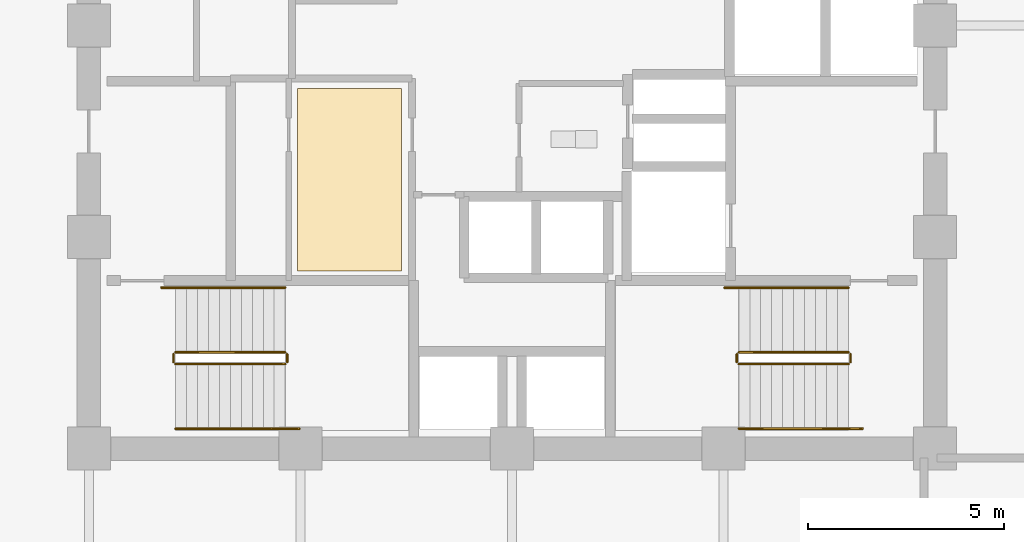
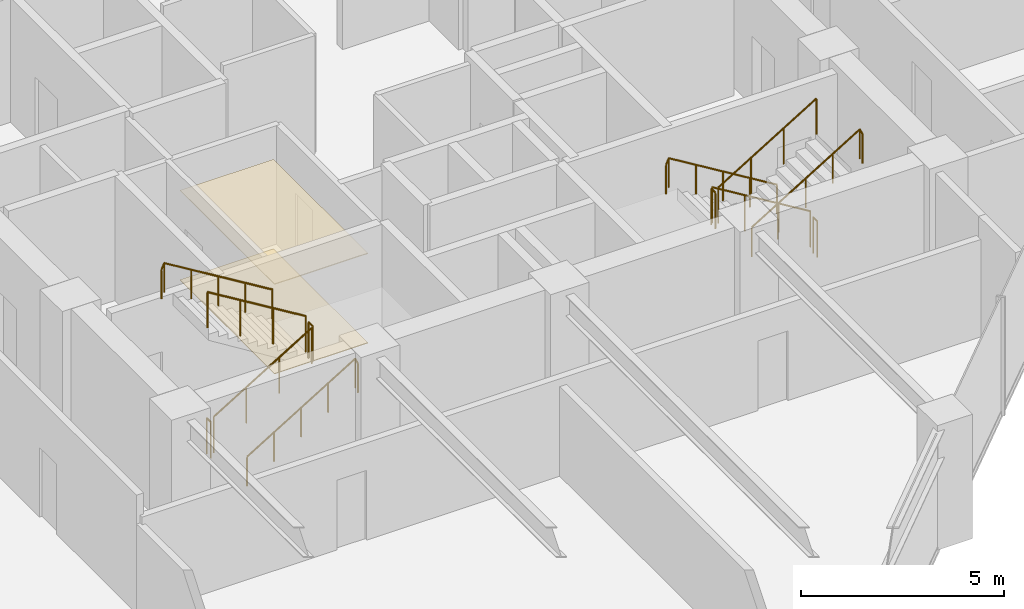
# One storey, part 26 of 29: 12 railings, 2 coverings.
"""IFC4 building model written with IfcOpenShell, lengths in metres."""

from ifc_helpers import new_model, si_unit, direction, frame, origin, origin_2d, place, context, subcontext, project, spatial, polyline, circle, outline, extrude, material, layer, layer_set, type_object, element, save


model = new_model("IFC4")

# Units and contexts
model_context = context("Model", 3, precision=1e-05, world=origin(), true_north=direction((0.0, 1.0)))
body_context = subcontext(model_context, "Body", "Model", "MODEL_VIEW")
ifc_project = project(units=[si_unit("LENGTHUNIT", "METRE"), si_unit("AREAUNIT", "SQUARE_METRE"), si_unit("VOLUMEUNIT", "CUBIC_METRE"), si_unit("PLANEANGLEUNIT", "RADIAN"), si_unit("MASSUNIT", "GRAM", prefix="KILO")], contexts=[model_context])

# Site, building, storey
site_placement = place(None, origin())
site = spatial("IfcSite", under=ifc_project, at=site_placement, CompositionType="ELEMENT")
building_placement = place(site_placement, origin())
building = spatial("IfcBuilding", under=site, at=building_placement, Name="Surkhivell Harbour Commons", CompositionType="ELEMENT")
storey_placement = place(building_placement, frame((0.0, 0.0, 150.75)))
storey = spatial("IfcBuildingStorey", under=building, at=storey_placement, Name="L39", CompositionType="ELEMENT", Elevation=150.75)

# Coverings
ifc_material_1 = material(Name="Perforated acoustic mineral-fibre ceiling tile", Category="other")
ifc_layer_1 = layer(ifc_material_1, 0.02490234375)
ifc_layer_set_1 = layer_set([ifc_layer_1], Name="Perforated acoustic mineral-fibre ceiling tile")
covering_type_1 = type_object("IfcCoveringType", Name="COV-CEIL-AC", PredefinedType="CEILING", material=ifc_layer_set_1)
covering_1_placement = place(storey_placement, frame((0.0, 0.0, 2.694091796875)))
element("IfcCovering", 1, at=covering_1_placement, inside=storey, type_object=covering_type_1, Name="L39 Suspended Acoustic Ceiling 1", PredefinedType="CEILING", context=body_context, shape_type="SweptSolid", body=[
    extrude(outline(polyline([(-5.47998046875, -6.260009765625), (-2.820068359375, -6.260009765625), (-2.820068359375, -1.60009765625), (-5.47998046875, -1.60009765625), (-5.47998046875, -6.260009765625)])), origin(), (0.0, 0.0, 1.0), 0.02490234375),
])
ifc_material_2 = material(Name="Engineered acoustic oak timber flooring", Category="wood")
ifc_layer_2 = layer(ifc_material_2, 0.02001953125)
ifc_layer_set_2 = layer_set([ifc_layer_2], Name="Engineered acoustic oak timber flooring")
covering_type_2 = type_object("IfcCoveringType", Name="COV-FLR-TIM", PredefinedType="FLOORING", material=ifc_layer_set_2)
covering_2_placement = place(storey_placement, origin())
element("IfcCovering", 2, at=covering_2_placement, inside=storey, type_object=covering_type_2, Name="L39 Interior Floor Finish 1", PredefinedType="FLOORING", context=body_context, shape_type="SweptSolid", body=[
    extrude(outline(polyline([(-5.47998046875, -6.260009765625), (-2.820068359375, -6.260009765625), (-2.820068359375, -1.60009765625), (-5.47998046875, -1.60009765625), (-5.47998046875, -6.260009765625)])), origin(), (0.0, 0.0, 1.0), 0.02001953125),
])

# Railings
ifc_material_3 = material(Name="Galvanised and painted steel S355 guard rail", Category="steel")
railing_type_1 = type_object("IfcRailingType", Name="RAL-ST-GRD1100", PredefinedType="GUARDRAIL", material=ifc_material_3)
railing_1_placement = place(storey_placement, frame((8.590087890625, -8.340087890625, 0.17041015625)))
element("IfcRailing", 3, at=railing_1_placement, inside=storey, type_object=railing_type_1, Name="L39 ST2 stair guard 1", PredefinedType="GUARDRAIL", context=body_context, shape_type="SweptSolid", body=[
    extrude(circle(Radius=0.02392578125, at=origin_2d()), frame((0.0, 0.0, 1.076171875), z_axis=(-0.854169791009, 0.0, 0.51999420009), x_axis=(0.0, -1.0, 0.0)), (0.0, 0.0, 1.0), 3.278076171875),
    extrude(circle(Radius=0.02099609375, at=origin_2d()), origin(), (0.0, 0.0, 1.0), 1.052001953125),
    extrude(circle(Radius=0.02099609375, at=origin_2d()), frame((-0.933349609375, 0.0, 0.568115234375)), (0.0, 0.0, 1.0), 1.052001953125),
    extrude(circle(Radius=0.02099609375, at=origin_2d()), frame((-1.86669921875, 0.0, 1.136474609375)), (0.0, 0.0, 1.0), 1.052001953125),
    extrude(circle(Radius=0.02099609375, at=origin_2d()), frame((-2.800048828125, 0.0, 1.70458984375)), (0.0, 0.0, 1.0), 1.052001953125),
])
railing_2_placement = place(storey_placement, frame((5.739990234375, -8.389892578125, 1.875)))
element("IfcRailing", 4, at=railing_2_placement, inside=storey, type_object=railing_type_1, Name="L39 ST2 stair guard 2", PredefinedType="GUARDRAIL", context=body_context, shape_type="SweptSolid", body=[
    extrude(circle(Radius=0.02392578125, at=origin_2d()), frame((0.0, 0.0, 1.076171875), z_axis=(0.0, -1.0, 0.0), x_axis=(1.0, 0.0, 0.0)), (0.0, 0.0, 1.0), 0.2001953125),
    extrude(circle(Radius=0.02099609375, at=origin_2d()), origin(), (0.0, 0.0, 1.0), 1.052001953125),
    extrude(circle(Radius=0.02099609375, at=origin_2d()), frame((0.0, -0.2001953125, 0.0)), (0.0, 0.0, 1.0), 1.052001953125),
])
railing_3_placement = place(storey_placement, frame((5.7900390625, -8.639892578125, 2.04541015625)))
element("IfcRailing", 5, at=railing_3_placement, inside=storey, type_object=railing_type_1, Name="L39 ST2 stair guard 3", PredefinedType="GUARDRAIL", context=body_context, shape_type="SweptSolid", body=[
    extrude(circle(Radius=0.02392578125, at=origin_2d()), frame((0.0, 0.0, 1.076171875), z_axis=(0.854169791009, 0.0, 0.51999420009), x_axis=(0.0, 1.0, 0.0)), (0.0, 0.0, 1.0), 3.278076171875),
    extrude(circle(Radius=0.02099609375, at=origin_2d()), origin(), (0.0, 0.0, 1.0), 1.052001953125),
    extrude(circle(Radius=0.02099609375, at=origin_2d()), frame((0.933349609375, 0.0, 0.568115234375)), (0.0, 0.0, 1.0), 1.052001953125),
    extrude(circle(Radius=0.02099609375, at=origin_2d()), frame((1.86669921875, 0.0, 1.136474609375)), (0.0, 0.0, 1.0), 1.052001953125),
    extrude(circle(Radius=0.02099609375, at=origin_2d()), frame((2.800048828125, 0.0, 1.70458984375)), (0.0, 0.0, 1.0), 1.052001953125),
])
railing_4_placement = place(storey_placement, frame((8.639892578125, -8.389892578125, 0.0)))
element("IfcRailing", 6, at=railing_4_placement, inside=storey, type_object=railing_type_1, Name="L39 ST2 stair guard 4", PredefinedType="GUARDRAIL", context=body_context, shape_type="SweptSolid", body=[
    extrude(circle(Radius=0.02392578125, at=origin_2d()), frame((0.0, 0.0, 1.076171875), z_axis=(0.0, -1.0, 0.0), x_axis=(1.0, 0.0, 0.0)), (0.0, 0.0, 1.0), 0.2001953125),
    extrude(circle(Radius=0.02099609375, at=origin_2d()), origin(), (0.0, 0.0, 1.0), 1.052001953125),
    extrude(circle(Radius=0.02099609375, at=origin_2d()), frame((0.0, -0.2001953125, 0.0)), (0.0, 0.0, 1.0), 1.052001953125),
])
railing_5_placement = place(storey_placement, frame((-8.590087890625, -8.639892578125, 0.17041015625)))
element("IfcRailing", 7, at=railing_5_placement, inside=storey, type_object=railing_type_1, Name="L39 ST3 stair guard 1", PredefinedType="GUARDRAIL", context=body_context, shape_type="SweptSolid", body=[
    extrude(circle(Radius=0.02392578125, at=origin_2d()), frame((0.0, 0.0, 1.076171875), z_axis=(0.854169791009, 0.0, 0.51999420009), x_axis=(0.0, 1.0, 0.0)), (0.0, 0.0, 1.0), 3.278076171875),
    extrude(circle(Radius=0.02099609375, at=origin_2d()), origin(), (0.0, 0.0, 1.0), 1.052001953125),
    extrude(circle(Radius=0.02099609375, at=origin_2d()), frame((0.933349609375, 0.0, 0.568115234375)), (0.0, 0.0, 1.0), 1.052001953125),
    extrude(circle(Radius=0.02099609375, at=origin_2d()), frame((1.86669921875, 0.0, 1.136474609375)), (0.0, 0.0, 1.0), 1.052001953125),
    extrude(circle(Radius=0.02099609375, at=origin_2d()), frame((2.800048828125, 0.0, 1.70458984375)), (0.0, 0.0, 1.0), 1.052001953125),
])
railing_6_placement = place(storey_placement, frame((-5.739990234375, -8.590087890625, 1.875)))
element("IfcRailing", 8, at=railing_6_placement, inside=storey, type_object=railing_type_1, Name="L39 ST3 stair guard 2", PredefinedType="GUARDRAIL", context=body_context, shape_type="SweptSolid", body=[
    extrude(circle(Radius=0.02392578125, at=origin_2d()), frame((0.0, 0.0, 1.076171875), z_axis=(0.0, 1.0, 0.0), x_axis=(-1.0, 0.0, 0.0)), (0.0, 0.0, 1.0), 0.2001953125),
    extrude(circle(Radius=0.02099609375, at=origin_2d()), origin(), (0.0, 0.0, 1.0), 1.052001953125),
    extrude(circle(Radius=0.02099609375, at=origin_2d()), frame((0.0, 0.2001953125, 0.0)), (0.0, 0.0, 1.0), 1.052001953125),
])
railing_7_placement = place(storey_placement, frame((-5.7900390625, -8.340087890625, 2.04541015625)))
element("IfcRailing", 9, at=railing_7_placement, inside=storey, type_object=railing_type_1, Name="L39 ST3 stair guard 3", PredefinedType="GUARDRAIL", context=body_context, shape_type="SweptSolid", body=[
    extrude(circle(Radius=0.02392578125, at=origin_2d()), frame((0.0, 0.0, 1.076171875), z_axis=(-0.854169791009, 0.0, 0.51999420009), x_axis=(0.0, -1.0, 0.0)), (0.0, 0.0, 1.0), 3.278076171875),
    extrude(circle(Radius=0.02099609375, at=origin_2d()), origin(), (0.0, 0.0, 1.0), 1.052001953125),
    extrude(circle(Radius=0.02099609375, at=origin_2d()), frame((-0.933349609375, 0.0, 0.568115234375)), (0.0, 0.0, 1.0), 1.052001953125),
    extrude(circle(Radius=0.02099609375, at=origin_2d()), frame((-1.86669921875, 0.0, 1.136474609375)), (0.0, 0.0, 1.0), 1.052001953125),
    extrude(circle(Radius=0.02099609375, at=origin_2d()), frame((-2.800048828125, 0.0, 1.70458984375)), (0.0, 0.0, 1.0), 1.052001953125),
])
railing_8_placement = place(storey_placement, frame((-8.639892578125, -8.590087890625, 0.0)))
element("IfcRailing", 10, at=railing_8_placement, inside=storey, type_object=railing_type_1, Name="L39 ST3 stair guard 4", PredefinedType="GUARDRAIL", context=body_context, shape_type="SweptSolid", body=[
    extrude(circle(Radius=0.02392578125, at=origin_2d()), frame((0.0, 0.0, 1.076171875), z_axis=(0.0, 1.0, 0.0), x_axis=(-1.0, 0.0, 0.0)), (0.0, 0.0, 1.0), 0.2001953125),
    extrude(circle(Radius=0.02099609375, at=origin_2d()), origin(), (0.0, 0.0, 1.0), 1.052001953125),
    extrude(circle(Radius=0.02099609375, at=origin_2d()), frame((0.0, 0.2001953125, 0.0)), (0.0, 0.0, 1.0), 1.052001953125),
])
ifc_material_4 = material(Name="Brushed stainless steel S355 handrail", Category="steel")
railing_type_2 = type_object("IfcRailingType", Name="RAL-ST-HND900", PredefinedType="HANDRAIL", material=ifc_material_4)
railing_9_placement = place(storey_placement, frame((8.590087890625, -6.68994140625, 0.17041015625)))
element("IfcRailing", 11, at=railing_9_placement, inside=storey, type_object=railing_type_2, Name="L39 ST2 stair handrail 1", PredefinedType="HANDRAIL", context=body_context, shape_type="SweptSolid", body=[
    extrude(circle(Radius=0.02392578125, at=origin_2d()), frame((0.0, 0.0, 0.8759765625), z_axis=(-0.854177636135, 0.0, 0.519981313056), x_axis=(0.0, -1.0, 0.0)), (0.0, 0.0, 1.0), 3.60595703125),
    extrude(circle(Radius=0.02392578125, at=origin_2d()), frame((-3.080078125, 0.0, 2.7509765625), z_axis=(-0.425297416671, 0.0, -0.905053648892), x_axis=(0.0, -1.0, 0.0)), (0.0, 0.0, 1.0), 0.188232421875),
    extrude(circle(Radius=0.02099609375, at=origin_2d()), origin(), (0.0, 0.0, 1.0), 0.851806640625),
    extrude(circle(Radius=0.02099609375, at=origin_2d()), frame((-0.77001953125, 0.0, 0.46875)), (0.0, 0.0, 1.0), 0.851806640625),
    extrude(circle(Radius=0.02099609375, at=origin_2d()), frame((-1.5400390625, 0.0, 0.9375)), (0.0, 0.0, 1.0), 0.851806640625),
    extrude(circle(Radius=0.02099609375, at=origin_2d()), frame((-2.31005859375, 0.0, 1.40625)), (0.0, 0.0, 1.0), 0.851806640625),
    extrude(circle(Radius=0.02099609375, at=origin_2d()), frame((-3.080078125, 0.0, 1.875)), (0.0, 0.0, 1.0), 0.851806640625),
    extrude(circle(Radius=0.02099609375, at=origin_2d()), frame((-3.16015625, 0.0, 1.70458984375)), (0.0, 0.0, 1.0), 0.851806640625),
])
railing_10_placement = place(storey_placement, frame((5.7900390625, -10.2900390625, 2.04541015625)))
element("IfcRailing", 12, at=railing_10_placement, inside=storey, type_object=railing_type_2, Name="L39 ST2 stair handrail 2", PredefinedType="HANDRAIL", context=body_context, shape_type="SweptSolid", body=[
    extrude(circle(Radius=0.02392578125, at=origin_2d()), frame((0.0, 0.0, 0.8759765625), z_axis=(0.854177636135, 0.0, 0.519981313056), x_axis=(0.0, 1.0, 0.0)), (0.0, 0.0, 1.0), 3.60595703125),
    extrude(circle(Radius=0.02392578125, at=origin_2d()), frame((3.080078125, 0.0, 2.7509765625), z_axis=(0.424234432967, 0.0, -0.905552398199), x_axis=(0.0, 1.0, 0.0)), (0.0, 0.0, 1.0), 0.188232421875),
    extrude(circle(Radius=0.02099609375, at=origin_2d()), origin(), (0.0, 0.0, 1.0), 0.851806640625),
    extrude(circle(Radius=0.02099609375, at=origin_2d()), frame((0.77001953125, 0.0, 0.46875)), (0.0, 0.0, 1.0), 0.851806640625),
    extrude(circle(Radius=0.02099609375, at=origin_2d()), frame((1.5400390625, 0.0, 0.9375)), (0.0, 0.0, 1.0), 0.851806640625),
    extrude(circle(Radius=0.02099609375, at=origin_2d()), frame((2.31005859375, 0.0, 1.40625)), (0.0, 0.0, 1.0), 0.851806640625),
    extrude(circle(Radius=0.02099609375, at=origin_2d()), frame((3.080078125, 0.0, 1.875)), (0.0, 0.0, 1.0), 0.851806640625),
    extrude(circle(Radius=0.02099609375, at=origin_2d()), frame((3.159912109375, 0.0, 1.70458984375)), (0.0, 0.0, 1.0), 0.851806640625),
])
railing_11_placement = place(storey_placement, frame((-8.590087890625, -10.2900390625, 0.17041015625)))
element("IfcRailing", 13, at=railing_11_placement, inside=storey, type_object=railing_type_2, Name="L39 ST3 stair handrail 1", PredefinedType="HANDRAIL", context=body_context, shape_type="SweptSolid", body=[
    extrude(circle(Radius=0.02392578125, at=origin_2d()), frame((0.0, 0.0, 0.8759765625), z_axis=(0.854177636135, 0.0, 0.519981313056), x_axis=(0.0, 1.0, 0.0)), (0.0, 0.0, 1.0), 3.60595703125),
    extrude(circle(Radius=0.02392578125, at=origin_2d()), frame((3.080078125, 0.0, 2.7509765625), z_axis=(0.425297416671, 0.0, -0.905053648892), x_axis=(0.0, 1.0, 0.0)), (0.0, 0.0, 1.0), 0.188232421875),
    extrude(circle(Radius=0.02099609375, at=origin_2d()), origin(), (0.0, 0.0, 1.0), 0.851806640625),
    extrude(circle(Radius=0.02099609375, at=origin_2d()), frame((0.77001953125, 0.0, 0.46875)), (0.0, 0.0, 1.0), 0.851806640625),
    extrude(circle(Radius=0.02099609375, at=origin_2d()), frame((1.5400390625, 0.0, 0.9375)), (0.0, 0.0, 1.0), 0.851806640625),
    extrude(circle(Radius=0.02099609375, at=origin_2d()), frame((2.31005859375, 0.0, 1.40625)), (0.0, 0.0, 1.0), 0.851806640625),
    extrude(circle(Radius=0.02099609375, at=origin_2d()), frame((3.080078125, 0.0, 1.875)), (0.0, 0.0, 1.0), 0.851806640625),
    extrude(circle(Radius=0.02099609375, at=origin_2d()), frame((3.16015625, 0.0, 1.70458984375)), (0.0, 0.0, 1.0), 0.851806640625),
])
railing_12_placement = place(storey_placement, frame((-5.7900390625, -6.68994140625, 2.04541015625)))
element("IfcRailing", 14, at=railing_12_placement, inside=storey, type_object=railing_type_2, Name="L39 ST3 stair handrail 2", PredefinedType="HANDRAIL", context=body_context, shape_type="SweptSolid", body=[
    extrude(circle(Radius=0.02392578125, at=origin_2d()), frame((0.0, 0.0, 0.8759765625), z_axis=(-0.854177636135, 0.0, 0.519981313056), x_axis=(0.0, -1.0, 0.0)), (0.0, 0.0, 1.0), 3.60595703125),
    extrude(circle(Radius=0.02392578125, at=origin_2d()), frame((-3.080078125, 0.0, 2.7509765625), z_axis=(-0.424234432967, 0.0, -0.905552398199), x_axis=(0.0, -1.0, 0.0)), (0.0, 0.0, 1.0), 0.188232421875),
    extrude(circle(Radius=0.02099609375, at=origin_2d()), origin(), (0.0, 0.0, 1.0), 0.851806640625),
    extrude(circle(Radius=0.02099609375, at=origin_2d()), frame((-0.77001953125, 0.0, 0.46875)), (0.0, 0.0, 1.0), 0.851806640625),
    extrude(circle(Radius=0.02099609375, at=origin_2d()), frame((-1.5400390625, 0.0, 0.9375)), (0.0, 0.0, 1.0), 0.851806640625),
    extrude(circle(Radius=0.02099609375, at=origin_2d()), frame((-2.31005859375, 0.0, 1.40625)), (0.0, 0.0, 1.0), 0.851806640625),
    extrude(circle(Radius=0.02099609375, at=origin_2d()), frame((-3.080078125, 0.0, 1.875)), (0.0, 0.0, 1.0), 0.851806640625),
    extrude(circle(Radius=0.02099609375, at=origin_2d()), frame((-3.159912109375, 0.0, 1.70458984375)), (0.0, 0.0, 1.0), 0.851806640625),
])

save(model, "model.ifc")
